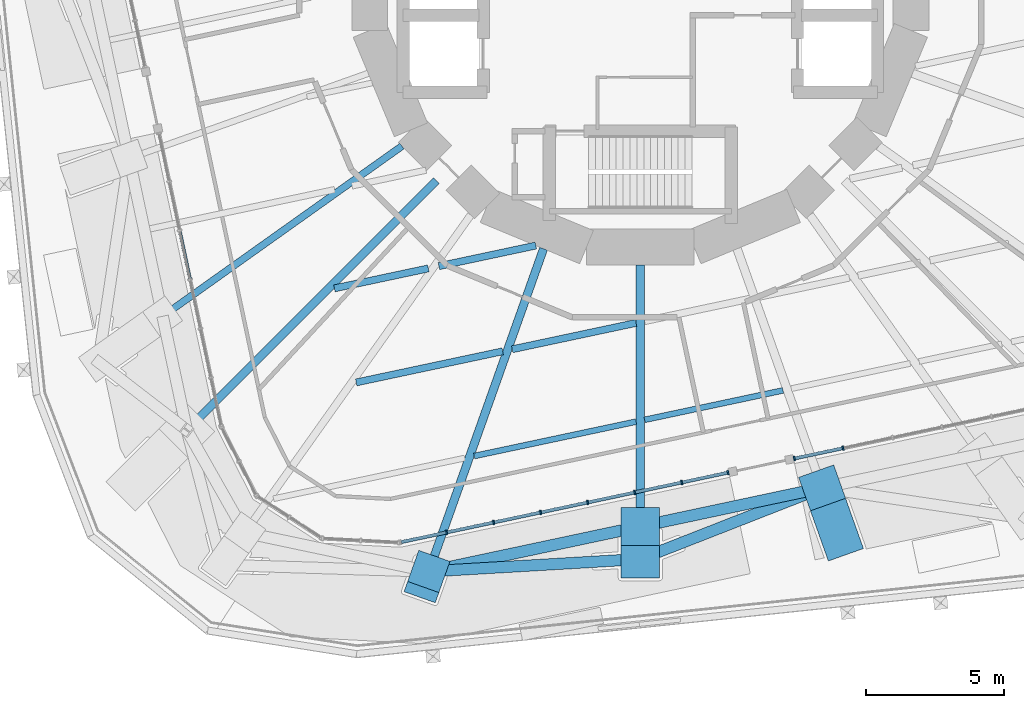
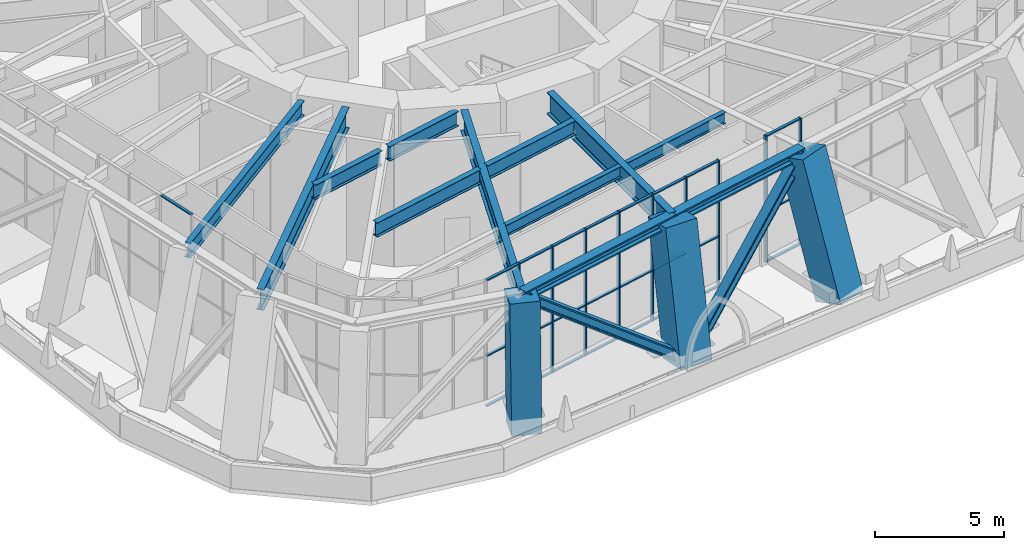
# One storey, part 2 of 23: 41 members, 10 beams, 3 elements without a shape of their own.
"""IFC4 building model written with IfcOpenShell, lengths in metres."""

from ifc_helpers import new_model, si_unit, direction, frame, origin, origin_2d, place, context, subcontext, project, spatial, rectangle, i_section, extrude, material, material_profile, profile_set, type_object, element, aggregate, save


model = new_model("IFC4")

# Units and contexts
model_context = context("Model", 3, precision=1e-05, world=origin(), true_north=direction((0.0, 1.0)))
body_context = subcontext(model_context, "Body", "Model", "MODEL_VIEW")
ifc_project = project(units=[si_unit("LENGTHUNIT", "METRE"), si_unit("AREAUNIT", "SQUARE_METRE"), si_unit("VOLUMEUNIT", "CUBIC_METRE"), si_unit("PLANEANGLEUNIT", "RADIAN"), si_unit("MASSUNIT", "GRAM", prefix="KILO")], contexts=[model_context])

# Site, building, storey
site_placement = place(None, origin())
site = spatial("IfcSite", under=ifc_project, at=site_placement, CompositionType="ELEMENT")
building_placement = place(site_placement, origin())
building = spatial("IfcBuilding", under=site, at=building_placement, Name="Nakasero Lantern House", CompositionType="ELEMENT")
storey_placement = place(building_placement, frame((0.0, 0.0, 95.14990234375)))
storey = spatial("IfcBuildingStorey", under=building, at=storey_placement, Name="L23", CompositionType="ELEMENT", Elevation=95.14990234375)

# Members
ifc_material_1 = material(Name="Steel S355", Category="steel")
ifc_material_profile_1 = material_profile(ifc_material_1, i_section(OverallWidth=0.41845703125, OverallDepth=0.45556640625, WebThickness=0.0419921875, FlangeThickness=0.0673828125, FilletRadius=0.01513671875, at=origin_2d()), Name="UC 356x406x551")
ifc_profile_set_1 = profile_set([ifc_material_profile_1], Name="Steel S355")
member_type_1 = type_object("IfcMemberType", Name="Belt truss chord UC 356x406x551", PredefinedType="CHORD", material=ifc_profile_set_1)
member_1_placement = place(storey_placement, frame((-7.667724609375, -21.5654296875, 5.572265625), z_axis=(0.978146105516, 0.207918725139, 0.0), x_axis=(-0.207918725139, 0.978146105516, 0.0)))
element("IfcMember", 1, at=member_1_placement, inside=storey, type_object=member_type_1, Name="Belt truss top chord T2 B3-C20T", PredefinedType="CHORD", context=body_context, shape_type="SweptSolid", body=[
    extrude(i_section(OverallWidth=0.41845703125, OverallDepth=0.45556640625, WebThickness=0.0419921875, FlangeThickness=0.0673828125, FilletRadius=0.01513671875, at=origin_2d()), origin(), (0.0, 0.0, 1.0), 7.839111328125),
])
member_2_placement = place(storey_placement, frame((0.0, -19.935546875, 5.572265625), z_axis=(0.978151574702, 0.20789299389, 0.0), x_axis=(-0.20789299389, 0.978151574702, 0.0)))
element("IfcMember", 2, at=member_2_placement, inside=storey, type_object=member_type_1, Name="Belt truss top chord T2 B3-C21T", PredefinedType="CHORD", context=body_context, shape_type="SweptSolid", body=[
    extrude(i_section(OverallWidth=0.41845703125, OverallDepth=0.45556640625, WebThickness=0.0419921875, FlangeThickness=0.0673828125, FilletRadius=0.01513671875, at=origin_2d()), origin(), (0.0, 0.0, 1.0), 6.7373046875),
])
ifc_material_2 = material(Name="Steel S355", Category="steel")
ifc_material_profile_2 = material_profile(ifc_material_2, i_section(OverallWidth=0.412109375, OverallDepth=0.4365234375, WebThickness=0.035888671875, FlangeThickness=0.05810546875, FilletRadius=0.01513671875, at=origin_2d()), Name="UC 356x406x467")
ifc_profile_set_2 = profile_set([ifc_material_profile_2], Name="Steel S355")
member_type_2 = type_object("IfcMemberType", Name="Belt truss diagonal UC 356x406x467", PredefinedType="BRACE", material=ifc_profile_set_2)
member_3_placement = place(storey_placement, frame((-7.667724609375, -21.5654296875, 5.572265625), z_axis=(0.78670752659, 0.046139881682, -0.615599203155), x_axis=(-0.058548735749, 0.998284551389, 0.0)))
element("IfcMember", 3, at=member_3_placement, inside=storey, type_object=member_type_2, Name="Belt truss diagonal T2-20", PredefinedType="BRACE", context=body_context, shape_type="SweptSolid", body=[
    extrude(i_section(OverallWidth=0.412109375, OverallDepth=0.4365234375, WebThickness=0.035888671875, FlangeThickness=0.05810546875, FilletRadius=0.01513671875, at=origin_2d()), origin(), (0.0, 0.0, 1.0), 9.74658203125),
])
member_4_placement = place(storey_placement, frame((0.0, -21.11572265625, -0.427734375), z_axis=(0.710256558439, 0.278150708675, 0.646658955292), x_axis=(-0.364654263958, 0.931142989974, 0.0)))
element("IfcMember", 4, at=member_4_placement, inside=storey, type_object=member_type_2, Name="Belt truss diagonal T2-21", PredefinedType="BRACE", context=body_context, shape_type="SweptSolid", body=[
    extrude(i_section(OverallWidth=0.412109375, OverallDepth=0.4365234375, WebThickness=0.035888671875, FlangeThickness=0.05810546875, FilletRadius=0.01513671875, at=origin_2d()), origin(), (0.0, 0.0, 1.0), 9.278564453125),
])

# Beams
ifc_material_3 = material(Name="Steel S355", Category="steel")
ifc_material_profile_3 = material_profile(ifc_material_3, i_section(OverallWidth=0.2099609375, OverallDepth=0.53662109375, WebThickness=0.0107421875, FlangeThickness=0.017333984375, FilletRadius=0.0126953125, at=origin_2d()), Name="UB 533x210x101")
ifc_profile_set_3 = profile_set([ifc_material_profile_3], Name="Steel S355")
beam_type_1 = type_object("IfcBeamType", Name="Infill beam UB 533x210x101", PredefinedType="JOIST", material=ifc_profile_set_3)
beam_1_placement = place(storey_placement, frame((-6.02099609375, -17.381591796875, 5.53173828125), z_axis=(0.978153677989, 0.207883097524, 0.0), x_axis=(-0.207883097524, 0.978153677989, 0.0)))
element("IfcBeam", 5, at=beam_1_placement, inside=storey, type_object=beam_type_1, Name="Infill beam L24 03.2", PredefinedType="JOIST", context=body_context, shape_type="SweptSolid", body=[
    extrude(i_section(OverallWidth=0.2099609375, OverallDepth=0.53662109375, WebThickness=0.0107421875, FlangeThickness=0.017333984375, FilletRadius=0.0126953125, at=origin_2d()), origin(), (0.0, 0.0, 1.0), 5.997802734375),
])
beam_2_placement = place(storey_placement, frame((0.154296875, -16.069091796875, 5.53173828125), z_axis=(0.978144455204, 0.207926488823, 0.0), x_axis=(-0.207926488823, 0.978144455204, 0.0)))
element("IfcBeam", 6, at=beam_2_placement, inside=storey, type_object=beam_type_1, Name="Infill beam L24 03.3", PredefinedType="JOIST", context=body_context, shape_type="SweptSolid", body=[
    extrude(i_section(OverallWidth=0.2099609375, OverallDepth=0.53662109375, WebThickness=0.0107421875, FlangeThickness=0.017333984375, FilletRadius=0.0126953125, at=origin_2d()), origin(), (0.0, 0.0, 1.0), 5.1298828125),
])
ifc_material_4 = material(Name="Steel S355", Category="steel")
ifc_material_profile_4 = material_profile(ifc_material_4, i_section(OverallWidth=0.253662109375, OverallDepth=0.68359375, WebThickness=0.012451171875, FlangeThickness=0.01904296875, FilletRadius=0.01513671875, at=origin_2d()), Name="UB 686x254x140")
ifc_profile_set_4 = profile_set([ifc_material_profile_4], Name="Steel S355")
beam_type_2 = type_object("IfcBeamType", Name="Infill beam UB 686x254x140", PredefinedType="JOIST", material=ifc_profile_set_4)
beam_3_placement = place(storey_placement, frame((-10.298828125, -14.712646484375, 5.458251953125), z_axis=(0.978155764637, 0.207873278962, 0.0), x_axis=(-0.207873278962, 0.978155764637, 0.0)))
element("IfcBeam", 7, at=beam_3_placement, inside=storey, type_object=beam_type_2, Name="Infill beam L24 04.1", PredefinedType="JOIST", context=body_context, shape_type="SweptSolid", body=[
    extrude(i_section(OverallWidth=0.253662109375, OverallDepth=0.68359375, WebThickness=0.012451171875, FlangeThickness=0.01904296875, FilletRadius=0.01513671875, at=origin_2d()), origin(), (0.0, 0.0, 1.0), 5.428466796875),
])
beam_4_placement = place(storey_placement, frame((-4.644775390625, -13.510986328125, 5.458251953125), z_axis=(0.978142764349, 0.207934442919, 0.0), x_axis=(-0.207934442919, 0.978142764349, 0.0)))
element("IfcBeam", 8, at=beam_4_placement, inside=storey, type_object=beam_type_2, Name="Infill beam L24 04.2", PredefinedType="JOIST", context=body_context, shape_type="SweptSolid", body=[
    extrude(i_section(OverallWidth=0.253662109375, OverallDepth=0.68359375, WebThickness=0.012451171875, FlangeThickness=0.01904296875, FilletRadius=0.01513671875, at=origin_2d()), origin(), (0.0, 0.0, 1.0), 4.5908203125),
])
ifc_material_5 = material(Name="Steel S355", Category="steel")
ifc_material_profile_5 = material_profile(ifc_material_5, i_section(OverallWidth=0.255859375, OverallDepth=0.69287109375, WebThickness=0.014404296875, FlangeThickness=0.023681640625, FilletRadius=0.01513671875, at=origin_2d()), Name="UB 686x254x170")
ifc_profile_set_5 = profile_set([ifc_material_profile_5], Name="Steel S355")
beam_type_3 = type_object("IfcBeamType", Name="Infill beam UB 686x254x170", PredefinedType="JOIST", material=ifc_profile_set_5)
beam_5_placement = place(storey_placement, frame((-11.0908203125, -11.302978515625, 5.45361328125), z_axis=(0.978142980007, 0.20793342844, 0.0), x_axis=(-0.20793342844, 0.978142980007, 0.0)))
element("IfcBeam", 9, at=beam_5_placement, inside=storey, type_object=beam_type_3, Name="Infill beam L24 05.1", PredefinedType="JOIST", context=body_context, shape_type="SweptSolid", body=[
    extrude(i_section(OverallWidth=0.255859375, OverallDepth=0.69287109375, WebThickness=0.014404296875, FlangeThickness=0.023681640625, FilletRadius=0.01513671875, at=origin_2d()), origin(), (0.0, 0.0, 1.0), 3.480224609375),
])
beam_6_placement = place(storey_placement, frame((-7.30126953125, -10.497314453125, 5.45361328125), z_axis=(0.978149176892, 0.207904275439, 0.0), x_axis=(-0.207904275439, 0.978149176892, 0.0)))
element("IfcBeam", 10, at=beam_6_placement, inside=storey, type_object=beam_type_3, Name="Infill beam L24 05.2", PredefinedType="JOIST", context=body_context, shape_type="SweptSolid", body=[
    extrude(i_section(OverallWidth=0.255859375, OverallDepth=0.69287109375, WebThickness=0.014404296875, FlangeThickness=0.023681640625, FilletRadius=0.01513671875, at=origin_2d()), origin(), (0.0, 0.0, 1.0), 3.59228515625),
])

# Curtain wall, members
ifc_material_6 = material(Name="Aluminium 6063-T6 and glass", Category="aluminium")
curtain_wall_type = type_object("IfcCurtainWallType", Name="Sky lounge glazing CW-3", PredefinedType="USERDEFINED", material=ifc_material_6)
curtain_wall_1_placement = place(storey_placement, origin())
curtain_wall_1 = element("IfcCurtainWall", 11, at=curtain_wall_1_placement, inside=storey, type_object=curtain_wall_type, Name="Curtain wall CW-3 L23", ObjectType="STICK CURTAIN WALL", PredefinedType="USERDEFINED")
ifc_material_7 = material(Name="Aluminium 6063-T6", Category="aluminium")
ifc_material_profile_6 = material_profile(ifc_material_7, rectangle(XDim=0.06005859375, YDim=0.159912109375, at=origin_2d()), Name="CW-3 mullion 60x160")
ifc_profile_set_6 = profile_set([ifc_material_profile_6], Name="Aluminium 6063-T6")
member_type_3 = type_object("IfcMemberType", Name="Mullion CW-3", PredefinedType="MULLION", material=ifc_profile_set_6)
member_5_placement = place(storey_placement, frame((-7.021240234375, -20.150146484375, 0.0), z_axis=(0.0, 0.0, 1.0), x_axis=(0.978147600734, 0.207911690818, 0.0)))
member_5 = element("IfcMember", 12, at=member_5_placement, type_object=member_type_3, Name="CW-3 mullion 2", PredefinedType="MULLION", context=body_context, shape_type="SweptSolid", body=[
    extrude(rectangle(XDim=0.06005859375, YDim=0.159912109375, at=origin_2d()), origin(), (0.0, 0.0, 1.0), 6.0),
])
member_6_placement = place(storey_placement, frame((-5.31640625, -19.787841796875, 0.0), z_axis=(0.0, 0.0, 1.0), x_axis=(0.978147600734, 0.207911690818, 0.0)))
member_6 = element("IfcMember", 13, at=member_6_placement, type_object=member_type_3, Name="CW-3 mullion 3", PredefinedType="MULLION", context=body_context, shape_type="SweptSolid", body=[
    extrude(rectangle(XDim=0.06005859375, YDim=0.159912109375, at=origin_2d()), origin(), (0.0, 0.0, 1.0), 6.0),
])
member_7_placement = place(storey_placement, frame((-3.611572265625, -19.42529296875, 0.0), z_axis=(0.0, 0.0, 1.0), x_axis=(0.978147600734, 0.207911690818, 0.0)))
member_7 = element("IfcMember", 14, at=member_7_placement, type_object=member_type_3, Name="CW-3 mullion 4", PredefinedType="MULLION", context=body_context, shape_type="SweptSolid", body=[
    extrude(rectangle(XDim=0.06005859375, YDim=0.159912109375, at=origin_2d()), origin(), (0.0, 0.0, 1.0), 6.0),
])
member_8_placement = place(storey_placement, frame((-1.90673828125, -19.06298828125, 0.0), z_axis=(0.0, 0.0, 1.0), x_axis=(0.978147600734, 0.207911690818, 0.0)))
member_8 = element("IfcMember", 15, at=member_8_placement, type_object=member_type_3, Name="CW-3 mullion 5", PredefinedType="MULLION", context=body_context, shape_type="SweptSolid", body=[
    extrude(rectangle(XDim=0.06005859375, YDim=0.159912109375, at=origin_2d()), origin(), (0.0, 0.0, 1.0), 6.0),
])
member_9_placement = place(storey_placement, frame((-0.2021484375, -18.70068359375, 0.0), z_axis=(0.0, 0.0, 1.0), x_axis=(0.978147600734, 0.207911690818, 0.0)))
member_9 = element("IfcMember", 16, at=member_9_placement, type_object=member_type_3, Name="CW-3 mullion 6", PredefinedType="MULLION", context=body_context, shape_type="SweptSolid", body=[
    extrude(rectangle(XDim=0.06005859375, YDim=0.159912109375, at=origin_2d()), origin(), (0.0, 0.0, 1.0), 6.0),
])
member_10_placement = place(storey_placement, frame((1.502685546875, -18.33837890625, 0.0), z_axis=(0.0, 0.0, 1.0), x_axis=(0.978147600734, 0.207911690818, 0.0)))
member_10 = element("IfcMember", 17, at=member_10_placement, type_object=member_type_3, Name="CW-3 mullion 7", PredefinedType="MULLION", context=body_context, shape_type="SweptSolid", body=[
    extrude(rectangle(XDim=0.06005859375, YDim=0.159912109375, at=origin_2d()), origin(), (0.0, 0.0, 1.0), 6.0),
])
member_11_placement = place(storey_placement, frame((3.17822265625, -17.982177734375, 0.0), z_axis=(0.0, 0.0, 1.0), x_axis=(0.978147600734, 0.207911690818, 0.0)))
member_11 = element("IfcMember", 18, at=member_11_placement, type_object=member_type_3, Name="CW-3 mullion 8", PredefinedType="MULLION", context=body_context, shape_type="SweptSolid", body=[
    extrude(rectangle(XDim=0.06005859375, YDim=0.159912109375, at=origin_2d()), origin(), (0.0, 0.0, 1.0), 6.0),
])

curtain_wall_2_placement = place(storey_placement, origin())
curtain_wall_2 = element("IfcCurtainWall", 19, at=curtain_wall_2_placement, inside=storey, type_object=curtain_wall_type, Name="Curtain wall CW-3 L23", ObjectType="STICK CURTAIN WALL", PredefinedType="USERDEFINED")
member_12_placement = place(storey_placement, frame((5.58447265625, -17.470703125, 0.0), z_axis=(0.0, 0.0, 1.0), x_axis=(0.978147600734, 0.207911690818, 0.0)))
member_12 = element("IfcMember", 20, at=member_12_placement, type_object=member_type_3, Name="CW-3 mullion 1", PredefinedType="MULLION", context=body_context, shape_type="SweptSolid", body=[
    extrude(rectangle(XDim=0.06005859375, YDim=0.159912109375, at=origin_2d()), origin(), (0.0, 0.0, 1.0), 6.0),
])
member_13_placement = place(storey_placement, frame((7.348388671875, -17.095703125, 0.0), z_axis=(0.0, 0.0, 1.0), x_axis=(0.978147600734, 0.207911690818, 0.0)))
member_13 = element("IfcMember", 21, at=member_13_placement, type_object=member_type_3, Name="CW-3 mullion 2", PredefinedType="MULLION", context=body_context, shape_type="SweptSolid", body=[
    extrude(rectangle(XDim=0.06005859375, YDim=0.159912109375, at=origin_2d()), origin(), (0.0, 0.0, 1.0), 6.0),
])

# Beams
ifc_material_8 = material(Name="Steel S355", Category="steel")
ifc_material_profile_7 = material_profile(ifc_material_8, i_section(OverallWidth=0.300048828125, OverallDepth=0.989990234375, WebThickness=0.0166015625, FlangeThickness=0.031005859375, FilletRadius=0.030029296875, at=origin_2d()), Name="UB 1016x305x272")
ifc_profile_set_7 = profile_set([ifc_material_profile_7], Name="Steel S355")
beam_type_4 = type_object("IfcBeamType", Name="Primary beam UB 1016x305x272, span 12 to 15 m", PredefinedType="BEAM", material=ifc_profile_set_7)
beam_7_placement = place(storey_placement, frame((-16.44091796875, -16.44091796875, 5.304931640625), z_axis=(0.707106781187, 0.707106781187, 0.0), x_axis=(-0.707106781187, 0.707106781187, 0.0)))
element("IfcBeam", 22, at=beam_7_placement, inside=storey, type_object=beam_type_4, Name="Primary beam L24 B3-C18T", PredefinedType="BEAM", context=body_context, shape_type="SweptSolid", body=[
    extrude(i_section(OverallWidth=0.300048828125, OverallDepth=0.989990234375, WebThickness=0.0166015625, FlangeThickness=0.031005859375, FilletRadius=0.030029296875, at=origin_2d()), origin(), (0.0, 0.0, 1.0), 12.793212890625),
])
beam_8_placement = place(storey_placement, frame((-7.667724609375, -21.5654296875, 5.304931640625), z_axis=(0.335011995103, 0.942213862739, 0.0), x_axis=(-0.942213862739, 0.335011995103, 0.0)))
element("IfcBeam", 23, at=beam_8_placement, inside=storey, type_object=beam_type_4, Name="Primary beam L24 B3-C20T", PredefinedType="BEAM", context=body_context, shape_type="SweptSolid", body=[
    extrude(i_section(OverallWidth=0.300048828125, OverallDepth=0.989990234375, WebThickness=0.0166015625, FlangeThickness=0.031005859375, FilletRadius=0.030029296875, at=origin_2d()), origin(), (0.0, 0.0, 1.0), 12.41650390625),
])
ifc_material_9 = material(Name="Steel S355", Category="steel")
ifc_material_profile_8 = material_profile(ifc_material_9, i_section(OverallWidth=0.30859375, OverallDepth=1.036376953125, WebThickness=0.030029296875, FlangeThickness=0.05419921875, FilletRadius=0.030029296875, at=origin_2d()), Name="UB 1016x305x487")
ifc_profile_set_8 = profile_set([ifc_material_profile_8], Name="Steel S355")
beam_type_5 = type_object("IfcBeamType", Name="Primary beam UB 1016x305x487, span 9 to 12 m", PredefinedType="BEAM", material=ifc_profile_set_8)
beam_9_placement = place(storey_placement, frame((0.0, -19.935546875, 5.281982421875), z_axis=(0.0, 1.0, 0.0), x_axis=(-1.0, 0.0, 0.0)))
element("IfcBeam", 24, at=beam_9_placement, inside=storey, type_object=beam_type_5, Name="Primary beam L24 B3-C21T", PredefinedType="BEAM", context=body_context, shape_type="SweptSolid", body=[
    extrude(i_section(OverallWidth=0.30859375, OverallDepth=1.036376953125, WebThickness=0.030029296875, FlangeThickness=0.05419921875, FilletRadius=0.030029296875, at=origin_2d()), origin(), (0.0, 0.0, 1.0), 9.477783203125),
])
ifc_material_10 = material(Name="Steel S355", Category="steel")
ifc_material_profile_9 = material_profile(ifc_material_10, i_section(OverallWidth=0.255859375, OverallDepth=0.69287109375, WebThickness=0.014404296875, FlangeThickness=0.023681640625, FilletRadius=0.01513671875, at=origin_2d()), Name="UB 686x254x170")
ifc_profile_set_9 = profile_set([ifc_material_profile_9], Name="Steel S355")
beam_type_6 = type_object("IfcBeamType", Name="Primary beam UB 686x254x170, span 9 to 12 m", PredefinedType="BEAM", material=ifc_profile_set_9)
beam_10_placement = place(storey_placement, frame((-17.318115234375, -12.31494140625, 5.45361328125), z_axis=(0.814957491022, 0.579520739774, 0.0), x_axis=(-0.579520739774, 0.814957491022, 0.0)))
element("IfcBeam", 25, at=beam_10_placement, inside=storey, type_object=beam_type_6, Name="Primary beam L24 B3-C17T", PredefinedType="BEAM", context=body_context, shape_type="SweptSolid", body=[
    extrude(i_section(OverallWidth=0.255859375, OverallDepth=0.69287109375, WebThickness=0.014404296875, FlangeThickness=0.023681640625, FilletRadius=0.01513671875, at=origin_2d()), origin(), (0.0, 0.0, 1.0), 10.64453125),
])

# Members
ifc_material_11 = material(Name="Concrete C50/60", Category="concrete")
ifc_material_profile_10 = material_profile(ifc_material_11, rectangle(XDim=1.199951171875, YDim=1.199951171875, at=origin_2d()), Name="RC 1200x1200")
ifc_profile_set_10 = profile_set([ifc_material_profile_10], Name="Concrete C50/60")
member_type_4 = type_object("IfcMemberType", Name="Raking column RC 1200x1200 C50/60", PredefinedType="STRUT", material=ifc_profile_set_10)
member_14_placement = place(storey_placement, frame((-7.79931640625, -21.935302734375, -0.427734375), z_axis=(0.021885169008, 0.061513972257, 0.997866258872), x_axis=(-0.942149239881, 0.335193689964, 0.0)))
element("IfcMember", 26, at=member_14_placement, inside=storey, type_object=member_type_4, Name="Raking column B3-C20T L23", PredefinedType="STRUT", context=body_context, shape_type="SweptSolid", body=[
    extrude(rectangle(XDim=1.199951171875, YDim=1.199951171875, at=origin_2d()), origin(), (0.0, 0.0, 1.0), 6.012939453125),
])
ifc_material_12 = material(Name="Concrete C50/60", Category="concrete")
ifc_material_profile_11 = material_profile(ifc_material_12, rectangle(XDim=1.35009765625, YDim=1.35009765625, at=origin_2d()), Name="RC 1350x1350")
ifc_profile_set_11 = profile_set([ifc_material_profile_11], Name="Concrete C50/60")
member_type_5 = type_object("IfcMemberType", Name="Raking column RC 1350x1350 C50/60", PredefinedType="STRUT", material=ifc_profile_set_11)
member_15_placement = place(storey_placement, frame((7.2373046875, -20.35498046875, -0.427734375), z_axis=(-0.102679108448, 0.288748681055, 0.951882975936), x_axis=(-0.942201391668, -0.335047067647, 0.0)))
element("IfcMember", 27, at=member_15_placement, inside=storey, type_object=member_type_5, Name="Raking column B3-C22T L23", PredefinedType="STRUT", context=body_context, shape_type="SweptSolid", body=[
    extrude(rectangle(XDim=1.35009765625, YDim=1.35009765625, at=origin_2d()), origin(), (0.0, 0.0, 1.0), 6.30322265625),
])
ifc_material_13 = material(Name="Concrete C50/60", Category="concrete")
ifc_material_profile_12 = material_profile(ifc_material_13, rectangle(XDim=1.39990234375, YDim=1.39990234375, at=origin_2d()), Name="RC 1400x1400")
ifc_profile_set_12 = profile_set([ifc_material_profile_12], Name="Concrete C50/60")
member_type_6 = type_object("IfcMemberType", Name="Raking column RC 1400x1400 C50/60", PredefinedType="STRUT", material=ifc_profile_set_12)
member_16_placement = place(storey_placement, frame((0.0, -21.11572265625, -0.427734375), z_axis=(0.0, 0.192997915508, 0.981199166637), x_axis=(-1.0, 0.0, 0.0)))
element("IfcMember", 28, at=member_16_placement, inside=storey, type_object=member_type_6, Name="Raking column B3-C21T L23", PredefinedType="STRUT", context=body_context, shape_type="SweptSolid", body=[
    extrude(rectangle(XDim=1.39990234375, YDim=1.39990234375, at=origin_2d()), origin(), (0.0, 0.0, 1.0), 6.114990234375),
])

# Curtain wall, member
curtain_wall_3_placement = place(storey_placement, origin())
curtain_wall_3 = element("IfcCurtainWall", 29, at=curtain_wall_3_placement, inside=storey, type_object=curtain_wall_type, Name="Curtain wall CW-3 L23", ObjectType="STICK CURTAIN WALL", PredefinedType="USERDEFINED")
ifc_material_14 = material(Name="Aluminium 6063-T6", Category="aluminium")
ifc_material_profile_13 = material_profile(ifc_material_14, rectangle(XDim=0.06005859375, YDim=0.1201171875, at=origin_2d()), Name="CW-3 transom 60x120")
ifc_profile_set_13 = profile_set([ifc_material_profile_13], Name="Aluminium 6063-T6")
member_type_7 = type_object("IfcMemberType", Name="Transom CW-3", PredefinedType="USERDEFINED", material=ifc_profile_set_13)
member_17_placement = place(storey_placement, frame((-16.694580078125, -9.236083984375, 5.97021484375), z_axis=(0.207915270313, -0.978146839882, 0.0), x_axis=(0.0, 0.0, 1.0)))
member_17 = element("IfcMember", 30, at=member_17_placement, type_object=member_type_7, Name="CW-3 transom 3.3", ObjectType="TRANSOM", PredefinedType="USERDEFINED", context=body_context, shape_type="SweptSolid", body=[
    extrude(rectangle(XDim=0.06005859375, YDim=0.1201171875, at=origin_2d()), origin(), (0.0, 0.0, 1.0), 1.756591796875),
])
aggregate(curtain_wall_3, [member_17])

# Member
member_18_placement = place(storey_placement, frame((-8.667236328125, -20.5, 0.030029296875), z_axis=(0.978134067417, 0.207975349883, 0.0), x_axis=(0.0, 0.0, 1.0)))
member_18 = element("IfcMember", 31, at=member_18_placement, type_object=member_type_7, Name="CW-3 transom 1.1", ObjectType="TRANSOM", PredefinedType="USERDEFINED", context=body_context, shape_type="SweptSolid", body=[
    extrude(rectangle(XDim=0.06005859375, YDim=0.1201171875, at=origin_2d()), origin(), (0.0, 0.0, 1.0), 1.65283203125),
])

member_19_placement = place(storey_placement, frame((-8.667236328125, -20.5, 2.400146484375), z_axis=(0.978134067417, 0.207975349883, 0.0), x_axis=(0.0, 0.0, 1.0)))
member_19 = element("IfcMember", 32, at=member_19_placement, type_object=member_type_7, Name="CW-3 transom 1.2", ObjectType="TRANSOM", PredefinedType="USERDEFINED", context=body_context, shape_type="SweptSolid", body=[
    extrude(rectangle(XDim=0.06005859375, YDim=0.1201171875, at=origin_2d()), origin(), (0.0, 0.0, 1.0), 1.65283203125),
])

member_20_placement = place(storey_placement, frame((-8.667236328125, -20.5, 5.97021484375), z_axis=(0.978134067417, 0.207975349883, 0.0), x_axis=(0.0, 0.0, 1.0)))
member_20 = element("IfcMember", 33, at=member_20_placement, type_object=member_type_7, Name="CW-3 transom 1.3", ObjectType="TRANSOM", PredefinedType="USERDEFINED", context=body_context, shape_type="SweptSolid", body=[
    extrude(rectangle(XDim=0.06005859375, YDim=0.1201171875, at=origin_2d()), origin(), (0.0, 0.0, 1.0), 1.65283203125),
])

member_21_placement = place(storey_placement, frame((-6.99169921875, -20.143798828125, 0.030029296875), z_axis=(0.978149262994, 0.207903870346, 0.0), x_axis=(0.0, 0.0, 1.0)))
member_21 = element("IfcMember", 34, at=member_21_placement, type_object=member_type_7, Name="CW-3 transom 2.1", ObjectType="TRANSOM", PredefinedType="USERDEFINED", context=body_context, shape_type="SweptSolid", body=[
    extrude(rectangle(XDim=0.06005859375, YDim=0.1201171875, at=origin_2d()), origin(), (0.0, 0.0, 1.0), 1.682861328125),
])

member_22_placement = place(storey_placement, frame((-6.99169921875, -20.143798828125, 2.400146484375), z_axis=(0.978149262994, 0.207903870346, 0.0), x_axis=(0.0, 0.0, 1.0)))
member_22 = element("IfcMember", 35, at=member_22_placement, type_object=member_type_7, Name="CW-3 transom 2.2", ObjectType="TRANSOM", PredefinedType="USERDEFINED", context=body_context, shape_type="SweptSolid", body=[
    extrude(rectangle(XDim=0.06005859375, YDim=0.1201171875, at=origin_2d()), origin(), (0.0, 0.0, 1.0), 1.682861328125),
])

member_23_placement = place(storey_placement, frame((-6.99169921875, -20.143798828125, 5.97021484375), z_axis=(0.978149262994, 0.207903870346, 0.0), x_axis=(0.0, 0.0, 1.0)))
member_23 = element("IfcMember", 36, at=member_23_placement, type_object=member_type_7, Name="CW-3 transom 2.3", ObjectType="TRANSOM", PredefinedType="USERDEFINED", context=body_context, shape_type="SweptSolid", body=[
    extrude(rectangle(XDim=0.06005859375, YDim=0.1201171875, at=origin_2d()), origin(), (0.0, 0.0, 1.0), 1.682861328125),
])

member_24_placement = place(storey_placement, frame((-5.287109375, -19.781494140625, 0.030029296875), z_axis=(0.978155532727, 0.207874370221, 0.0), x_axis=(0.0, 0.0, 1.0)))
member_24 = element("IfcMember", 37, at=member_24_placement, type_object=member_type_7, Name="CW-3 transom 3.1", ObjectType="TRANSOM", PredefinedType="USERDEFINED", context=body_context, shape_type="SweptSolid", body=[
    extrude(rectangle(XDim=0.06005859375, YDim=0.1201171875, at=origin_2d()), origin(), (0.0, 0.0, 1.0), 1.68310546875),
])

member_25_placement = place(storey_placement, frame((-5.287109375, -19.781494140625, 2.400146484375), z_axis=(0.978155532727, 0.207874370221, 0.0), x_axis=(0.0, 0.0, 1.0)))
member_25 = element("IfcMember", 38, at=member_25_placement, type_object=member_type_7, Name="CW-3 transom 3.2", ObjectType="TRANSOM", PredefinedType="USERDEFINED", context=body_context, shape_type="SweptSolid", body=[
    extrude(rectangle(XDim=0.06005859375, YDim=0.1201171875, at=origin_2d()), origin(), (0.0, 0.0, 1.0), 1.68310546875),
])

member_26_placement = place(storey_placement, frame((-5.287109375, -19.781494140625, 5.97021484375), z_axis=(0.978155532727, 0.207874370221, 0.0), x_axis=(0.0, 0.0, 1.0)))
member_26 = element("IfcMember", 39, at=member_26_placement, type_object=member_type_7, Name="CW-3 transom 3.3", ObjectType="TRANSOM", PredefinedType="USERDEFINED", context=body_context, shape_type="SweptSolid", body=[
    extrude(rectangle(XDim=0.06005859375, YDim=0.1201171875, at=origin_2d()), origin(), (0.0, 0.0, 1.0), 1.68310546875),
])

member_27_placement = place(storey_placement, frame((-3.582275390625, -19.419189453125, 0.030029296875), z_axis=(0.978149262994, 0.207903870346, 0.0), x_axis=(0.0, 0.0, 1.0)))
member_27 = element("IfcMember", 40, at=member_27_placement, type_object=member_type_7, Name="CW-3 transom 4.1", ObjectType="TRANSOM", PredefinedType="USERDEFINED", context=body_context, shape_type="SweptSolid", body=[
    extrude(rectangle(XDim=0.06005859375, YDim=0.1201171875, at=origin_2d()), origin(), (0.0, 0.0, 1.0), 1.682861328125),
])

member_28_placement = place(storey_placement, frame((-3.582275390625, -19.419189453125, 2.400146484375), z_axis=(0.978149262994, 0.207903870346, 0.0), x_axis=(0.0, 0.0, 1.0)))
member_28 = element("IfcMember", 41, at=member_28_placement, type_object=member_type_7, Name="CW-3 transom 4.2", ObjectType="TRANSOM", PredefinedType="USERDEFINED", context=body_context, shape_type="SweptSolid", body=[
    extrude(rectangle(XDim=0.06005859375, YDim=0.1201171875, at=origin_2d()), origin(), (0.0, 0.0, 1.0), 1.682861328125),
])

member_29_placement = place(storey_placement, frame((-3.582275390625, -19.419189453125, 5.97021484375), z_axis=(0.978149262994, 0.207903870346, 0.0), x_axis=(0.0, 0.0, 1.0)))
member_29 = element("IfcMember", 42, at=member_29_placement, type_object=member_type_7, Name="CW-3 transom 4.3", ObjectType="TRANSOM", PredefinedType="USERDEFINED", context=body_context, shape_type="SweptSolid", body=[
    extrude(rectangle(XDim=0.06005859375, YDim=0.1201171875, at=origin_2d()), origin(), (0.0, 0.0, 1.0), 1.682861328125),
])

member_30_placement = place(storey_placement, frame((-1.87744140625, -19.056884765625, 0.030029296875), z_axis=(0.978119749818, 0.208042675948, 0.0), x_axis=(0.0, 0.0, 1.0)))
member_30 = element("IfcMember", 43, at=member_30_placement, type_object=member_type_7, Name="CW-3 transom 5.1", ObjectType="TRANSOM", PredefinedType="USERDEFINED", context=body_context, shape_type="SweptSolid", body=[
    extrude(rectangle(XDim=0.06005859375, YDim=0.1201171875, at=origin_2d()), origin(), (0.0, 0.0, 1.0), 1.682861328125),
])

member_31_placement = place(storey_placement, frame((-1.87744140625, -19.056884765625, 2.400146484375), z_axis=(0.978119749818, 0.208042675948, 0.0), x_axis=(0.0, 0.0, 1.0)))
member_31 = element("IfcMember", 44, at=member_31_placement, type_object=member_type_7, Name="CW-3 transom 5.2", ObjectType="TRANSOM", PredefinedType="USERDEFINED", context=body_context, shape_type="SweptSolid", body=[
    extrude(rectangle(XDim=0.06005859375, YDim=0.1201171875, at=origin_2d()), origin(), (0.0, 0.0, 1.0), 1.682861328125),
])

member_32_placement = place(storey_placement, frame((-1.87744140625, -19.056884765625, 5.97021484375), z_axis=(0.978119749818, 0.208042675948, 0.0), x_axis=(0.0, 0.0, 1.0)))
member_32 = element("IfcMember", 45, at=member_32_placement, type_object=member_type_7, Name="CW-3 transom 5.3", ObjectType="TRANSOM", PredefinedType="USERDEFINED", context=body_context, shape_type="SweptSolid", body=[
    extrude(rectangle(XDim=0.06005859375, YDim=0.1201171875, at=origin_2d()), origin(), (0.0, 0.0, 1.0), 1.682861328125),
])

member_33_placement = place(storey_placement, frame((-0.172607421875, -18.6943359375, 0.030029296875), z_axis=(0.978149262994, 0.207903870346, 0.0), x_axis=(0.0, 0.0, 1.0)))
member_33 = element("IfcMember", 46, at=member_33_placement, type_object=member_type_7, Name="CW-3 transom 6.1", ObjectType="TRANSOM", PredefinedType="USERDEFINED", context=body_context, shape_type="SweptSolid", body=[
    extrude(rectangle(XDim=0.06005859375, YDim=0.1201171875, at=origin_2d()), origin(), (0.0, 0.0, 1.0), 1.682861328125),
])

member_34_placement = place(storey_placement, frame((-0.172607421875, -18.6943359375, 2.400146484375), z_axis=(0.978149262994, 0.207903870346, 0.0), x_axis=(0.0, 0.0, 1.0)))
member_34 = element("IfcMember", 47, at=member_34_placement, type_object=member_type_7, Name="CW-3 transom 6.2", ObjectType="TRANSOM", PredefinedType="USERDEFINED", context=body_context, shape_type="SweptSolid", body=[
    extrude(rectangle(XDim=0.06005859375, YDim=0.1201171875, at=origin_2d()), origin(), (0.0, 0.0, 1.0), 1.682861328125),
])

member_35_placement = place(storey_placement, frame((-0.172607421875, -18.6943359375, 5.97021484375), z_axis=(0.978149262994, 0.207903870346, 0.0), x_axis=(0.0, 0.0, 1.0)))
member_35 = element("IfcMember", 48, at=member_35_placement, type_object=member_type_7, Name="CW-3 transom 6.3", ObjectType="TRANSOM", PredefinedType="USERDEFINED", context=body_context, shape_type="SweptSolid", body=[
    extrude(rectangle(XDim=0.06005859375, YDim=0.1201171875, at=origin_2d()), origin(), (0.0, 0.0, 1.0), 1.682861328125),
])

member_36_placement = place(storey_placement, frame((1.531982421875, -18.33203125, 0.030029296875), z_axis=(0.978170485533, 0.207803997153, 0.0), x_axis=(0.0, 0.0, 1.0)))
member_36 = element("IfcMember", 49, at=member_36_placement, type_object=member_type_7, Name="CW-3 transom 7.1", ObjectType="TRANSOM", PredefinedType="USERDEFINED", context=body_context, shape_type="SweptSolid", body=[
    extrude(rectangle(XDim=0.06005859375, YDim=0.1201171875, at=origin_2d()), origin(), (0.0, 0.0, 1.0), 1.653076171875),
])

member_37_placement = place(storey_placement, frame((1.531982421875, -18.33203125, 2.400146484375), z_axis=(0.978170485533, 0.207803997153, 0.0), x_axis=(0.0, 0.0, 1.0)))
member_37 = element("IfcMember", 50, at=member_37_placement, type_object=member_type_7, Name="CW-3 transom 7.2", ObjectType="TRANSOM", PredefinedType="USERDEFINED", context=body_context, shape_type="SweptSolid", body=[
    extrude(rectangle(XDim=0.06005859375, YDim=0.1201171875, at=origin_2d()), origin(), (0.0, 0.0, 1.0), 1.653076171875),
])

member_38_placement = place(storey_placement, frame((1.531982421875, -18.33203125, 5.97021484375), z_axis=(0.978170485533, 0.207803997153, 0.0), x_axis=(0.0, 0.0, 1.0)))
member_38 = element("IfcMember", 51, at=member_38_placement, type_object=member_type_7, Name="CW-3 transom 7.3", ObjectType="TRANSOM", PredefinedType="USERDEFINED", context=body_context, shape_type="SweptSolid", body=[
    extrude(rectangle(XDim=0.06005859375, YDim=0.1201171875, at=origin_2d()), origin(), (0.0, 0.0, 1.0), 1.653076171875),
])

aggregate(curtain_wall_1, [member_5, member_6, member_7, member_8, member_9, member_10, member_11, member_18, member_19, member_20, member_21, member_22, member_23, member_24, member_25, member_26, member_27, member_28, member_29, member_30, member_31, member_32, member_33, member_34, member_35, member_36, member_37, member_38])

member_39_placement = place(storey_placement, frame((5.61376953125, -17.464599609375, 0.030029296875), z_axis=(0.97813927235, 0.207950868925, 0.0), x_axis=(0.0, 0.0, 1.0)))
member_39 = element("IfcMember", 52, at=member_39_placement, type_object=member_type_7, Name="CW-3 transom 1.1", ObjectType="TRANSOM", PredefinedType="USERDEFINED", context=body_context, shape_type="SweptSolid", body=[
    extrude(rectangle(XDim=0.06005859375, YDim=0.1201171875, at=origin_2d()), origin(), (0.0, 0.0, 1.0), 1.743408203125),
])

member_40_placement = place(storey_placement, frame((5.61376953125, -17.464599609375, 2.400146484375), z_axis=(0.97813927235, 0.207950868925, 0.0), x_axis=(0.0, 0.0, 1.0)))
member_40 = element("IfcMember", 53, at=member_40_placement, type_object=member_type_7, Name="CW-3 transom 1.2", ObjectType="TRANSOM", PredefinedType="USERDEFINED", context=body_context, shape_type="SweptSolid", body=[
    extrude(rectangle(XDim=0.06005859375, YDim=0.1201171875, at=origin_2d()), origin(), (0.0, 0.0, 1.0), 1.743408203125),
])

member_41_placement = place(storey_placement, frame((5.61376953125, -17.464599609375, 5.97021484375), z_axis=(0.97813927235, 0.207950868925, 0.0), x_axis=(0.0, 0.0, 1.0)))
member_41 = element("IfcMember", 54, at=member_41_placement, type_object=member_type_7, Name="CW-3 transom 1.3", ObjectType="TRANSOM", PredefinedType="USERDEFINED", context=body_context, shape_type="SweptSolid", body=[
    extrude(rectangle(XDim=0.06005859375, YDim=0.1201171875, at=origin_2d()), origin(), (0.0, 0.0, 1.0), 1.743408203125),
])

aggregate(curtain_wall_2, [member_12, member_13, member_39, member_40, member_41])

save(model, "model.ifc")
